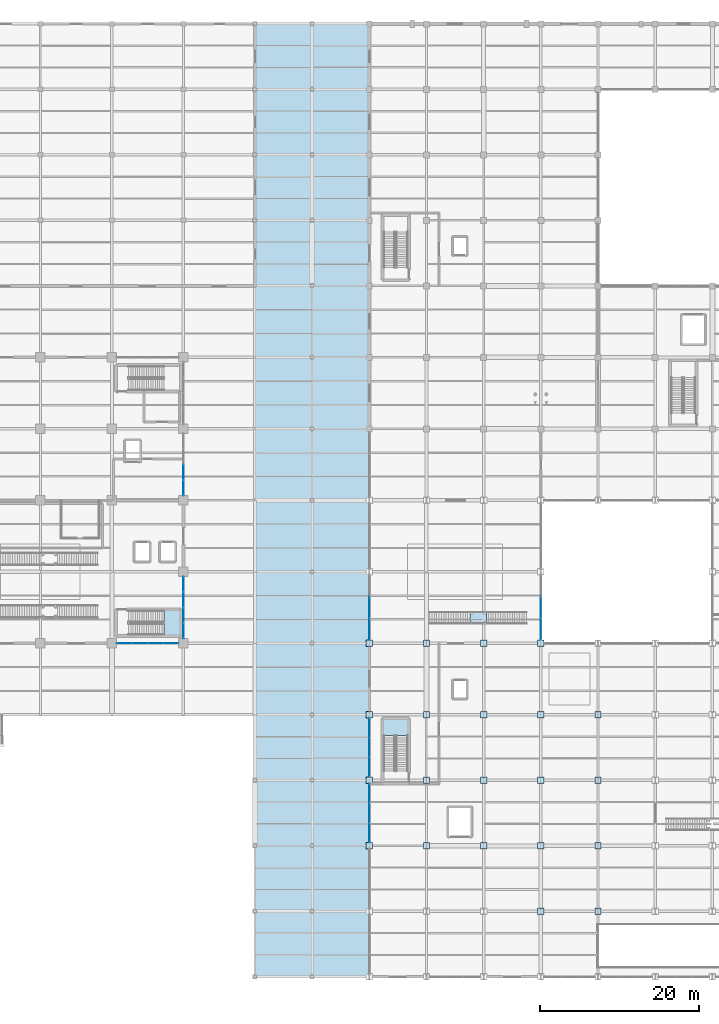
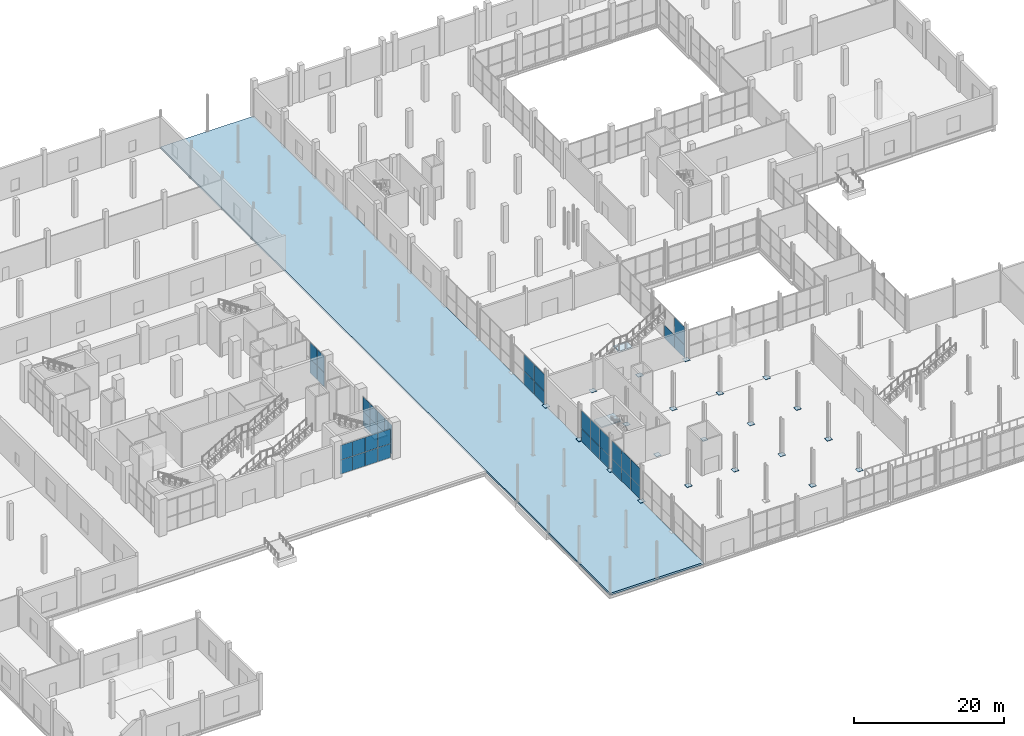
# One storey, part 116 of 144: 60 plates, 4 slabs, 10 elements without a shape of their own.
"""IFC4 building model written with IfcOpenShell, lengths in metres."""

from ifc_helpers import new_model, si_unit, direction, frame, origin, origin_2d, place, context, subcontext, project, spatial, polyline, rectangle, outline, extrude, material, layer, layer_set, type_object, element, aggregate, save


model = new_model("IFC4")

# Units and contexts
model_context = context("Model", 3, precision=1e-05, world=origin(), true_north=direction((0.0, 1.0)))
body_context = subcontext(model_context, "Body", "Model", "MODEL_VIEW")
ifc_project = project(units=[si_unit("LENGTHUNIT", "METRE"), si_unit("AREAUNIT", "SQUARE_METRE"), si_unit("VOLUMEUNIT", "CUBIC_METRE"), si_unit("PLANEANGLEUNIT", "RADIAN"), si_unit("MASSUNIT", "GRAM", prefix="KILO")], contexts=[model_context])

# Site, building, storey
site_placement = place(None, origin())
site = spatial("IfcSite", under=ifc_project, at=site_placement, CompositionType="ELEMENT")
building_placement = place(site_placement, origin())
building = spatial("IfcBuilding", under=site, at=building_placement, Name="Sundgate Opera House", CompositionType="ELEMENT")
storey_placement = place(building_placement, origin())
storey = spatial("IfcBuildingStorey", under=building, at=storey_placement, Name="L00", CompositionType="ELEMENT", Elevation=0.0)

# Curtain wall, plates
ifc_material_1 = material(Name="Anodized aluminium and low-iron glass", Category="aluminium")
ifc_layer_1 = layer(ifc_material_1, 0.179931640625)
ifc_layer_set_1 = layer_set([ifc_layer_1], Name="Anodized aluminium and low-iron glass")
curtain_wall_type_1 = type_object("IfcCurtainWallType", Name="CW-FOYER-GLASS", PredefinedType="NOTDEFINED", material=ifc_layer_set_1)
curtain_wall_1_placement = place(storey_placement, origin())
curtain_wall_1 = element("IfcCurtainWall", 1, at=curtain_wall_1_placement, inside=storey, type_object=curtain_wall_type_1, Name="L00 Curtain Wall CW002", PredefinedType="NOTDEFINED")
ifc_material_2 = material(Name="Low-iron triple acoustic glazing", Category="glass")
ifc_layer_2 = layer(ifc_material_2, 0.035888671875)
ifc_layer_set_2 = layer_set([ifc_layer_2], Name="Low-iron triple acoustic glazing")
plate_type_1 = type_object("IfcPlateType", Name="CWP-CLEAR-36", PredefinedType="CURTAIN_PANEL", material=ifc_layer_set_2)
plate_1_placement = place(storey_placement, frame((70.425048828125, 42.0, 0.02001953125), z_axis=(0.0, 0.0, 1.0), x_axis=(-1.0, 0.0, 0.0)))
plate_1 = element("IfcPlate", 2, at=plate_1_placement, type_object=plate_type_1, Name="CW002 Panel 1", PredefinedType="CURTAIN_PANEL", context=body_context, shape_type="SweptSolid", body=[
    extrude(rectangle(XDim=1.909912109375, YDim=0.035888671875, at=origin_2d()), origin(), (0.0, 0.0, 1.0), 2.260009765625),
])
plate_2_placement = place(storey_placement, frame((70.425048828125, 42.0, 2.320068359375), z_axis=(0.0, 0.0, 1.0), x_axis=(-1.0, 0.0, 0.0)))
plate_2 = element("IfcPlate", 3, at=plate_2_placement, type_object=plate_type_1, Name="CW002 Panel 2", PredefinedType="CURTAIN_PANEL", context=body_context, shape_type="SweptSolid", body=[
    extrude(rectangle(XDim=1.909912109375, YDim=0.035888671875, at=origin_2d()), origin(), (0.0, 0.0, 1.0), 2.375),
])
plate_3_placement = place(storey_placement, frame((68.47509765625, 42.0, 0.02001953125), z_axis=(0.0, 0.0, 1.0), x_axis=(-1.0, 0.0, 0.0)))
plate_3 = element("IfcPlate", 4, at=plate_3_placement, type_object=plate_type_1, Name="CW002 Panel 3", PredefinedType="CURTAIN_PANEL", context=body_context, shape_type="SweptSolid", body=[
    extrude(rectangle(XDim=1.909912109375, YDim=0.035888671875, at=origin_2d()), origin(), (0.0, 0.0, 1.0), 2.260009765625),
])
plate_4_placement = place(storey_placement, frame((68.47509765625, 42.0, 2.320068359375), z_axis=(0.0, 0.0, 1.0), x_axis=(-1.0, 0.0, 0.0)))
plate_4 = element("IfcPlate", 5, at=plate_4_placement, type_object=plate_type_1, Name="CW002 Panel 4", PredefinedType="CURTAIN_PANEL", context=body_context, shape_type="SweptSolid", body=[
    extrude(rectangle(XDim=1.909912109375, YDim=0.035888671875, at=origin_2d()), origin(), (0.0, 0.0, 1.0), 2.375),
])
plate_5_placement = place(storey_placement, frame((66.52490234375, 42.0, 0.02001953125), z_axis=(0.0, 0.0, 1.0), x_axis=(-1.0, 0.0, 0.0)))
plate_5 = element("IfcPlate", 6, at=plate_5_placement, type_object=plate_type_1, Name="CW002 Panel 5", PredefinedType="CURTAIN_PANEL", context=body_context, shape_type="SweptSolid", body=[
    extrude(rectangle(XDim=1.909912109375, YDim=0.035888671875, at=origin_2d()), origin(), (0.0, 0.0, 1.0), 2.260009765625),
])
plate_6_placement = place(storey_placement, frame((66.52490234375, 42.0, 2.320068359375), z_axis=(0.0, 0.0, 1.0), x_axis=(-1.0, 0.0, 0.0)))
plate_6 = element("IfcPlate", 7, at=plate_6_placement, type_object=plate_type_1, Name="CW002 Panel 6", PredefinedType="CURTAIN_PANEL", context=body_context, shape_type="SweptSolid", body=[
    extrude(rectangle(XDim=1.909912109375, YDim=0.035888671875, at=origin_2d()), origin(), (0.0, 0.0, 1.0), 2.375),
])
plate_7_placement = place(storey_placement, frame((64.574951171875, 42.0, 0.02001953125), z_axis=(0.0, 0.0, 1.0), x_axis=(-1.0, 0.0, 0.0)))
plate_7 = element("IfcPlate", 8, at=plate_7_placement, type_object=plate_type_1, Name="CW002 Panel 7", PredefinedType="CURTAIN_PANEL", context=body_context, shape_type="SweptSolid", body=[
    extrude(rectangle(XDim=1.909912109375, YDim=0.035888671875, at=origin_2d()), origin(), (0.0, 0.0, 1.0), 2.260009765625),
])
plate_8_placement = place(storey_placement, frame((64.574951171875, 42.0, 2.320068359375), z_axis=(0.0, 0.0, 1.0), x_axis=(-1.0, 0.0, 0.0)))
plate_8 = element("IfcPlate", 9, at=plate_8_placement, type_object=plate_type_1, Name="CW002 Panel 8", PredefinedType="CURTAIN_PANEL", context=body_context, shape_type="SweptSolid", body=[
    extrude(rectangle(XDim=1.909912109375, YDim=0.035888671875, at=origin_2d()), origin(), (0.0, 0.0, 1.0), 2.375),
])
aggregate(curtain_wall_1, [plate_1, plate_2, plate_3, plate_4, plate_5, plate_6, plate_7, plate_8])

curtain_wall_2_placement = place(storey_placement, origin())
curtain_wall_2 = element("IfcCurtainWall", 10, at=curtain_wall_2_placement, inside=storey, type_object=curtain_wall_type_1, Name="L00 Curtain Wall CW008", PredefinedType="NOTDEFINED")
plate_9_placement = place(storey_placement, frame((72.0, 43.574951171875, 0.02001953125), z_axis=(0.0, 0.0, 1.0), x_axis=(0.0, 1.0, 0.0)))
plate_9 = element("IfcPlate", 11, at=plate_9_placement, type_object=plate_type_1, Name="CW008 Panel 1", PredefinedType="CURTAIN_PANEL", context=body_context, shape_type="SweptSolid", body=[
    extrude(rectangle(XDim=1.909912109375, YDim=0.035888671875, at=origin_2d()), origin(), (0.0, 0.0, 1.0), 2.260009765625),
])
plate_10_placement = place(storey_placement, frame((72.0, 43.574951171875, 2.320068359375), z_axis=(0.0, 0.0, 1.0), x_axis=(0.0, 1.0, 0.0)))
plate_10 = element("IfcPlate", 12, at=plate_10_placement, type_object=plate_type_1, Name="CW008 Panel 2", PredefinedType="CURTAIN_PANEL", context=body_context, shape_type="SweptSolid", body=[
    extrude(rectangle(XDim=1.909912109375, YDim=0.035888671875, at=origin_2d()), origin(), (0.0, 0.0, 1.0), 2.375),
])
plate_11_placement = place(storey_placement, frame((72.0, 45.52490234375, 0.02001953125), z_axis=(0.0, 0.0, 1.0), x_axis=(0.0, 1.0, 0.0)))
plate_11 = element("IfcPlate", 13, at=plate_11_placement, type_object=plate_type_1, Name="CW008 Panel 3", PredefinedType="CURTAIN_PANEL", context=body_context, shape_type="SweptSolid", body=[
    extrude(rectangle(XDim=1.909912109375, YDim=0.035888671875, at=origin_2d()), origin(), (0.0, 0.0, 1.0), 2.260009765625),
])
plate_12_placement = place(storey_placement, frame((72.0, 45.52490234375, 2.320068359375), z_axis=(0.0, 0.0, 1.0), x_axis=(0.0, 1.0, 0.0)))
plate_12 = element("IfcPlate", 14, at=plate_12_placement, type_object=plate_type_1, Name="CW008 Panel 4", PredefinedType="CURTAIN_PANEL", context=body_context, shape_type="SweptSolid", body=[
    extrude(rectangle(XDim=1.909912109375, YDim=0.035888671875, at=origin_2d()), origin(), (0.0, 0.0, 1.0), 2.375),
])
plate_13_placement = place(storey_placement, frame((72.0, 47.47509765625, 0.02001953125), z_axis=(0.0, 0.0, 1.0), x_axis=(0.0, 1.0, 0.0)))
plate_13 = element("IfcPlate", 15, at=plate_13_placement, type_object=plate_type_1, Name="CW008 Panel 5", PredefinedType="CURTAIN_PANEL", context=body_context, shape_type="SweptSolid", body=[
    extrude(rectangle(XDim=1.909912109375, YDim=0.035888671875, at=origin_2d()), origin(), (0.0, 0.0, 1.0), 2.260009765625),
])
plate_14_placement = place(storey_placement, frame((72.0, 47.47509765625, 2.320068359375), z_axis=(0.0, 0.0, 1.0), x_axis=(0.0, 1.0, 0.0)))
plate_14 = element("IfcPlate", 16, at=plate_14_placement, type_object=plate_type_1, Name="CW008 Panel 6", PredefinedType="CURTAIN_PANEL", context=body_context, shape_type="SweptSolid", body=[
    extrude(rectangle(XDim=1.909912109375, YDim=0.035888671875, at=origin_2d()), origin(), (0.0, 0.0, 1.0), 2.375),
])
plate_15_placement = place(storey_placement, frame((72.0, 49.425048828125, 0.02001953125), z_axis=(0.0, 0.0, 1.0), x_axis=(0.0, 1.0, 0.0)))
plate_15 = element("IfcPlate", 17, at=plate_15_placement, type_object=plate_type_1, Name="CW008 Panel 7", PredefinedType="CURTAIN_PANEL", context=body_context, shape_type="SweptSolid", body=[
    extrude(rectangle(XDim=1.909912109375, YDim=0.035888671875, at=origin_2d()), origin(), (0.0, 0.0, 1.0), 2.260009765625),
])
plate_16_placement = place(storey_placement, frame((72.0, 49.425048828125, 2.320068359375), z_axis=(0.0, 0.0, 1.0), x_axis=(0.0, 1.0, 0.0)))
plate_16 = element("IfcPlate", 18, at=plate_16_placement, type_object=plate_type_1, Name="CW008 Panel 8", PredefinedType="CURTAIN_PANEL", context=body_context, shape_type="SweptSolid", body=[
    extrude(rectangle(XDim=1.909912109375, YDim=0.035888671875, at=origin_2d()), origin(), (0.0, 0.0, 1.0), 2.375),
])
aggregate(curtain_wall_2, [plate_9, plate_10, plate_11, plate_12, plate_13, plate_14, plate_15, plate_16])

curtain_wall_3_placement = place(storey_placement, origin())
curtain_wall_3 = element("IfcCurtainWall", 19, at=curtain_wall_3_placement, inside=storey, type_object=curtain_wall_type_1, Name="L00 Curtain Wall CW009", PredefinedType="NOTDEFINED")
plate_17_placement = place(storey_placement, frame((72.0, 61.574951171875, 0.02001953125), z_axis=(0.0, 0.0, 1.0), x_axis=(0.0, 1.0, 0.0)))
plate_17 = element("IfcPlate", 20, at=plate_17_placement, type_object=plate_type_1, Name="CW009 Panel 1", PredefinedType="CURTAIN_PANEL", context=body_context, shape_type="SweptSolid", body=[
    extrude(rectangle(XDim=1.909912109375, YDim=0.035888671875, at=origin_2d()), origin(), (0.0, 0.0, 1.0), 2.260009765625),
])
plate_18_placement = place(storey_placement, frame((72.0, 61.574951171875, 2.31982421875), z_axis=(0.0, 0.0, 1.0), x_axis=(0.0, 1.0, 0.0)))
plate_18 = element("IfcPlate", 21, at=plate_18_placement, type_object=plate_type_1, Name="CW009 Panel 2", PredefinedType="CURTAIN_PANEL", context=body_context, shape_type="SweptSolid", body=[
    extrude(rectangle(XDim=1.909912109375, YDim=0.035888671875, at=origin_2d()), origin(), (0.0, 0.0, 1.0), 2.675048828125),
])
plate_19_placement = place(storey_placement, frame((72.0, 63.52490234375, 0.02001953125), z_axis=(0.0, 0.0, 1.0), x_axis=(0.0, 1.0, 0.0)))
plate_19 = element("IfcPlate", 22, at=plate_19_placement, type_object=plate_type_1, Name="CW009 Panel 3", PredefinedType="CURTAIN_PANEL", context=body_context, shape_type="SweptSolid", body=[
    extrude(rectangle(XDim=1.909912109375, YDim=0.035888671875, at=origin_2d()), origin(), (0.0, 0.0, 1.0), 2.260009765625),
])
plate_20_placement = place(storey_placement, frame((72.0, 63.52490234375, 2.31982421875), z_axis=(0.0, 0.0, 1.0), x_axis=(0.0, 1.0, 0.0)))
plate_20 = element("IfcPlate", 23, at=plate_20_placement, type_object=plate_type_1, Name="CW009 Panel 4", PredefinedType="CURTAIN_PANEL", context=body_context, shape_type="SweptSolid", body=[
    extrude(rectangle(XDim=1.909912109375, YDim=0.035888671875, at=origin_2d()), origin(), (0.0, 0.0, 1.0), 2.675048828125),
])
aggregate(curtain_wall_3, [plate_17, plate_18, plate_19, plate_20])

ifc_material_3 = material(Name="Anodized aluminium and low-iron glass", Category="aluminium")
ifc_layer_3 = layer(ifc_material_3, 0.159912109375)
ifc_layer_set_3 = layer_set([ifc_layer_3], Name="Anodized aluminium and low-iron glass")
curtain_wall_type_2 = type_object("IfcCurtainWallType", Name="CW-STUDIO-DARK", PredefinedType="NOTDEFINED", material=ifc_layer_set_3)
curtain_wall_4_placement = place(storey_placement, origin())
curtain_wall_4 = element("IfcCurtainWall", 24, at=curtain_wall_4_placement, inside=storey, type_object=curtain_wall_type_2, Name="L00 Curtain Wall CW028", PredefinedType="NOTDEFINED")
ifc_material_4 = material(Name="Dark solar-control triple acoustic glazing", Category="glass")
ifc_layer_4 = layer(ifc_material_4, 0.031982421875)
ifc_layer_set_4 = layer_set([ifc_layer_4], Name="Dark solar-control triple acoustic glazing")
plate_type_2 = type_object("IfcPlateType", Name="CWP-DARK-32", PredefinedType="CURTAIN_PANEL", material=ifc_layer_set_4)
plate_21_placement = place(storey_placement, frame((95.39990234375, 46.5, 0.02001953125), z_axis=(0.0, 0.0, 1.0), x_axis=(0.0, -1.0, 0.0)))
plate_21 = element("IfcPlate", 25, at=plate_21_placement, type_object=plate_type_2, Name="CW028 Panel 3", PredefinedType="CURTAIN_PANEL", context=body_context, shape_type="SweptSolid", body=[
    extrude(rectangle(XDim=2.693359375, YDim=0.031982421875, at=origin_2d()), origin(), (0.0, 0.0, 1.0), 2.110107421875),
])
plate_22_placement = place(storey_placement, frame((95.39990234375, 46.5, 2.169921875), z_axis=(0.0, 0.0, 1.0), x_axis=(0.0, -1.0, 0.0)))
plate_22 = element("IfcPlate", 26, at=plate_22_placement, type_object=plate_type_2, Name="CW028 Panel 4", PredefinedType="CURTAIN_PANEL", context=body_context, shape_type="SweptSolid", body=[
    extrude(rectangle(XDim=2.693359375, YDim=0.031982421875, at=origin_2d()), origin(), (0.0, 0.0, 1.0), 2.72509765625),
])
plate_23_placement = place(storey_placement, frame((95.39990234375, 43.7666015625, 0.02001953125), z_axis=(0.0, 0.0, 1.0), x_axis=(0.0, -1.0, 0.0)))
plate_23 = element("IfcPlate", 27, at=plate_23_placement, type_object=plate_type_2, Name="CW028 Panel 5", PredefinedType="CURTAIN_PANEL", context=body_context, shape_type="SweptSolid", body=[
    extrude(rectangle(XDim=2.693359375, YDim=0.031982421875, at=origin_2d()), origin(), (0.0, 0.0, 1.0), 2.110107421875),
])
plate_24_placement = place(storey_placement, frame((95.39990234375, 43.7666015625, 2.169921875), z_axis=(0.0, 0.0, 1.0), x_axis=(0.0, -1.0, 0.0)))
plate_24 = element("IfcPlate", 28, at=plate_24_placement, type_object=plate_type_2, Name="CW028 Panel 6", PredefinedType="CURTAIN_PANEL", context=body_context, shape_type="SweptSolid", body=[
    extrude(rectangle(XDim=2.693359375, YDim=0.031982421875, at=origin_2d()), origin(), (0.0, 0.0, 1.0), 2.72509765625),
])
aggregate(curtain_wall_4, [plate_21, plate_22, plate_23, plate_24])

curtain_wall_5_placement = place(storey_placement, origin())
curtain_wall_5 = element("IfcCurtainWall", 29, at=curtain_wall_5_placement, inside=storey, type_object=curtain_wall_type_2, Name="L00 Curtain Wall CW040", PredefinedType="NOTDEFINED")
plate_25_placement = place(storey_placement, frame((117.0, 43.7666015625, 0.02001953125), z_axis=(0.0, 0.0, 1.0), x_axis=(0.0, 1.0, 0.0)))
plate_25 = element("IfcPlate", 30, at=plate_25_placement, type_object=plate_type_2, Name="CW040 Panel 1", PredefinedType="CURTAIN_PANEL", context=body_context, shape_type="SweptSolid", body=[
    extrude(rectangle(XDim=2.693359375, YDim=0.031982421875, at=origin_2d()), origin(), (0.0, 0.0, 1.0), 2.110107421875),
])
plate_26_placement = place(storey_placement, frame((117.0, 43.7666015625, 2.169921875), z_axis=(0.0, 0.0, 1.0), x_axis=(0.0, 1.0, 0.0)))
plate_26 = element("IfcPlate", 31, at=plate_26_placement, type_object=plate_type_2, Name="CW040 Panel 2", PredefinedType="CURTAIN_PANEL", context=body_context, shape_type="SweptSolid", body=[
    extrude(rectangle(XDim=2.693359375, YDim=0.031982421875, at=origin_2d()), origin(), (0.0, 0.0, 1.0), 2.875),
])
plate_27_placement = place(storey_placement, frame((117.0, 46.5, 0.02001953125), z_axis=(0.0, 0.0, 1.0), x_axis=(0.0, 1.0, 0.0)))
plate_27 = element("IfcPlate", 32, at=plate_27_placement, type_object=plate_type_2, Name="CW040 Panel 3", PredefinedType="CURTAIN_PANEL", context=body_context, shape_type="SweptSolid", body=[
    extrude(rectangle(XDim=2.693359375, YDim=0.031982421875, at=origin_2d()), origin(), (0.0, 0.0, 1.0), 2.110107421875),
])
aggregate(curtain_wall_5, [plate_25, plate_26, plate_27])

ifc_material_5 = material(Name="Anodized aluminium and low-iron glass", Category="aluminium")
ifc_layer_5 = layer(ifc_material_5, 0.14990234375)
ifc_layer_set_5 = layer_set([ifc_layer_5], Name="Anodized aluminium and low-iron glass")
curtain_wall_type_3 = type_object("IfcCurtainWallType", Name="CW-WORKSHOP-DARK", PredefinedType="NOTDEFINED", material=ifc_layer_set_5)
curtain_wall_6_placement = place(storey_placement, origin())
curtain_wall_6 = element("IfcCurtainWall", 33, at=curtain_wall_6_placement, inside=storey, type_object=curtain_wall_type_3, Name="L00 Curtain Wall CW133", PredefinedType="NOTDEFINED")
plate_28_placement = place(storey_placement, frame((95.39990234375, 23.1083984375, 0.02001953125), z_axis=(0.0, 0.0, 1.0), x_axis=(0.0, -1.0, 0.0)))
plate_28 = element("IfcPlate", 34, at=plate_28_placement, type_object=plate_type_2, Name="CW133 Panel 1", PredefinedType="CURTAIN_PANEL", context=body_context, shape_type="SweptSolid", body=[
    extrude(rectangle(XDim=2.443359375, YDim=0.031982421875, at=origin_2d()), origin(), (0.0, 0.0, 1.0), 2.06005859375),
])
plate_29_placement = place(storey_placement, frame((95.39990234375, 23.1083984375, 2.1201171875), z_axis=(0.0, 0.0, 1.0), x_axis=(0.0, -1.0, 0.0)))
plate_29 = element("IfcPlate", 35, at=plate_29_placement, type_object=plate_type_2, Name="CW133 Panel 2", PredefinedType="CURTAIN_PANEL", context=body_context, shape_type="SweptSolid", body=[
    extrude(rectangle(XDim=2.443359375, YDim=0.031982421875, at=origin_2d()), origin(), (0.0, 0.0, 1.0), 2.925048828125),
])
plate_30_placement = place(storey_placement, frame((95.39990234375, 20.625, 0.02001953125), z_axis=(0.0, 0.0, 1.0), x_axis=(0.0, -1.0, 0.0)))
plate_30 = element("IfcPlate", 36, at=plate_30_placement, type_object=plate_type_2, Name="CW133 Panel 3", PredefinedType="CURTAIN_PANEL", context=body_context, shape_type="SweptSolid", body=[
    extrude(rectangle(XDim=2.443359375, YDim=0.031982421875, at=origin_2d()), origin(), (0.0, 0.0, 1.0), 2.06005859375),
])
plate_31_placement = place(storey_placement, frame((95.39990234375, 20.625, 2.1201171875), z_axis=(0.0, 0.0, 1.0), x_axis=(0.0, -1.0, 0.0)))
plate_31 = element("IfcPlate", 37, at=plate_31_placement, type_object=plate_type_2, Name="CW133 Panel 4", PredefinedType="CURTAIN_PANEL", context=body_context, shape_type="SweptSolid", body=[
    extrude(rectangle(XDim=2.443359375, YDim=0.031982421875, at=origin_2d()), origin(), (0.0, 0.0, 1.0), 2.925048828125),
])
plate_32_placement = place(storey_placement, frame((95.39990234375, 18.1416015625, 0.02001953125), z_axis=(0.0, 0.0, 1.0), x_axis=(0.0, -1.0, 0.0)))
plate_32 = element("IfcPlate", 38, at=plate_32_placement, type_object=plate_type_2, Name="CW133 Panel 5", PredefinedType="CURTAIN_PANEL", context=body_context, shape_type="SweptSolid", body=[
    extrude(rectangle(XDim=2.443359375, YDim=0.031982421875, at=origin_2d()), origin(), (0.0, 0.0, 1.0), 2.06005859375),
])
plate_33_placement = place(storey_placement, frame((95.39990234375, 18.1416015625, 2.1201171875), z_axis=(0.0, 0.0, 1.0), x_axis=(0.0, -1.0, 0.0)))
plate_33 = element("IfcPlate", 39, at=plate_33_placement, type_object=plate_type_2, Name="CW133 Panel 6", PredefinedType="CURTAIN_PANEL", context=body_context, shape_type="SweptSolid", body=[
    extrude(rectangle(XDim=2.443359375, YDim=0.031982421875, at=origin_2d()), origin(), (0.0, 0.0, 1.0), 2.925048828125),
])
aggregate(curtain_wall_6, [plate_28, plate_29, plate_30, plate_31, plate_32, plate_33])

curtain_wall_7_placement = place(storey_placement, origin())
curtain_wall_7 = element("IfcCurtainWall", 40, at=curtain_wall_7_placement, inside=storey, type_object=curtain_wall_type_3, Name="L00 Curtain Wall CW134", PredefinedType="NOTDEFINED")
plate_34_placement = place(storey_placement, frame((95.39990234375, 31.3583984375, 0.02001953125), z_axis=(0.0, 0.0, 1.0), x_axis=(0.0, -1.0, 0.0)))
plate_34 = element("IfcPlate", 41, at=plate_34_placement, type_object=plate_type_2, Name="CW134 Panel 1", PredefinedType="CURTAIN_PANEL", context=body_context, shape_type="SweptSolid", body=[
    extrude(rectangle(XDim=2.443359375, YDim=0.031982421875, at=origin_2d()), origin(), (0.0, 0.0, 1.0), 2.06005859375),
])
plate_35_placement = place(storey_placement, frame((95.39990234375, 31.3583984375, 2.1201171875), z_axis=(0.0, 0.0, 1.0), x_axis=(0.0, -1.0, 0.0)))
plate_35 = element("IfcPlate", 42, at=plate_35_placement, type_object=plate_type_2, Name="CW134 Panel 2", PredefinedType="CURTAIN_PANEL", context=body_context, shape_type="SweptSolid", body=[
    extrude(rectangle(XDim=2.443359375, YDim=0.031982421875, at=origin_2d()), origin(), (0.0, 0.0, 1.0), 2.925048828125),
])
plate_36_placement = place(storey_placement, frame((95.39990234375, 28.875, 0.02001953125), z_axis=(0.0, 0.0, 1.0), x_axis=(0.0, -1.0, 0.0)))
plate_36 = element("IfcPlate", 43, at=plate_36_placement, type_object=plate_type_2, Name="CW134 Panel 3", PredefinedType="CURTAIN_PANEL", context=body_context, shape_type="SweptSolid", body=[
    extrude(rectangle(XDim=2.443359375, YDim=0.031982421875, at=origin_2d()), origin(), (0.0, 0.0, 1.0), 2.06005859375),
])
plate_37_placement = place(storey_placement, frame((95.39990234375, 28.875, 2.1201171875), z_axis=(0.0, 0.0, 1.0), x_axis=(0.0, -1.0, 0.0)))
plate_37 = element("IfcPlate", 44, at=plate_37_placement, type_object=plate_type_2, Name="CW134 Panel 4", PredefinedType="CURTAIN_PANEL", context=body_context, shape_type="SweptSolid", body=[
    extrude(rectangle(XDim=2.443359375, YDim=0.031982421875, at=origin_2d()), origin(), (0.0, 0.0, 1.0), 2.925048828125),
])
plate_38_placement = place(storey_placement, frame((95.39990234375, 26.3916015625, 0.02001953125), z_axis=(0.0, 0.0, 1.0), x_axis=(0.0, -1.0, 0.0)))
plate_38 = element("IfcPlate", 45, at=plate_38_placement, type_object=plate_type_2, Name="CW134 Panel 5", PredefinedType="CURTAIN_PANEL", context=body_context, shape_type="SweptSolid", body=[
    extrude(rectangle(XDim=2.443359375, YDim=0.031982421875, at=origin_2d()), origin(), (0.0, 0.0, 1.0), 2.06005859375),
])
plate_39_placement = place(storey_placement, frame((95.39990234375, 26.3916015625, 2.1201171875), z_axis=(0.0, 0.0, 1.0), x_axis=(0.0, -1.0, 0.0)))
plate_39 = element("IfcPlate", 46, at=plate_39_placement, type_object=plate_type_2, Name="CW134 Panel 6", PredefinedType="CURTAIN_PANEL", context=body_context, shape_type="SweptSolid", body=[
    extrude(rectangle(XDim=2.443359375, YDim=0.031982421875, at=origin_2d()), origin(), (0.0, 0.0, 1.0), 2.925048828125),
])
aggregate(curtain_wall_7, [plate_34, plate_35, plate_36, plate_37, plate_38, plate_39])

# Plates
ifc_material_6 = material(Name="Steel S355J2", Category="steel")
ifc_layer_6 = layer(ifc_material_6, 0.02587890625)
ifc_layer_set_6 = layer_set([ifc_layer_6], Name="Steel S355J2")
plate_type_3 = type_object("IfcPlateType", Name="PT-BAS-26", PredefinedType="USERDEFINED", material=ifc_layer_set_6)
for number, where, z_axis, x_axis, name in (
    (47, (102.60009765625, 33.0, 0.0), (0.0, 0.0, 1.0), (1.0, 0.0, 0.0), "L00 Base Plate PT0243"),
    (48, (117.0, 8.25, 0.0), (0.0, 0.0, 1.0), (1.0, 0.0, 0.0), "L00 Base Plate PT0272"),
):
    element("IfcPlate", number, at=place(storey_placement, frame(where, z_axis=z_axis, x_axis=x_axis)), inside=storey, type_object=plate_type_3, Name=name, ObjectType="BASE PLATE", PredefinedType="USERDEFINED", context=body_context, shape_type="SweptSolid", body=[
        extrude(rectangle(XDim=0.7900390625, YDim=0.7900390625, at=origin_2d()), origin(), (0.0, 0.0, 1.0), 0.02587890625),
    ])
ifc_material_7 = material(Name="Steel S355J2", Category="steel")
ifc_layer_7 = layer(ifc_material_7, 0.030029296875)
ifc_layer_set_7 = layer_set([ifc_layer_7], Name="Steel S355J2")
plate_type_4 = type_object("IfcPlateType", Name="PT-BAS-30", PredefinedType="USERDEFINED", material=ifc_layer_set_7)
for number, where, z_axis, x_axis, name in (
    (49, (102.60009765625, 42.0, 0.0), (0.0, 0.0, 1.0), (1.0, 0.0, 0.0), "L00 Base Plate PT0246"),
    (50, (109.800048828125, 24.75, 0.0), (0.0, 0.0, 1.0), (1.0, 0.0, 0.0), "L00 Base Plate PT0259"),
):
    element("IfcPlate", number, at=place(storey_placement, frame(where, z_axis=z_axis, x_axis=x_axis)), inside=storey, type_object=plate_type_4, Name=name, ObjectType="BASE PLATE", PredefinedType="USERDEFINED", context=body_context, shape_type="SweptSolid", body=[
        extrude(rectangle(XDim=0.7900390625, YDim=0.7900390625, at=origin_2d()), origin(), (0.0, 0.0, 1.0), 0.030029296875),
    ])
ifc_material_8 = material(Name="Steel S355J2", Category="steel")
ifc_layer_8 = layer(ifc_material_8, 0.033935546875)
ifc_layer_set_8 = layer_set([ifc_layer_8], Name="Steel S355J2")
plate_type_5 = type_object("IfcPlateType", Name="PT-BAS-34", PredefinedType="USERDEFINED", material=ifc_layer_set_8)
plate_40_placement = place(storey_placement, frame((117.0, 16.5, 0.0), z_axis=(0.0, 0.0, 1.0), x_axis=(1.0, 0.0, 0.0)))
element("IfcPlate", 51, at=plate_40_placement, inside=storey, type_object=plate_type_5, Name="L00 Base Plate PT0275", ObjectType="BASE PLATE", PredefinedType="USERDEFINED", context=body_context, shape_type="SweptSolid", body=[
    extrude(rectangle(XDim=0.7900390625, YDim=0.7900390625, at=origin_2d()), origin(), (0.0, 0.0, 1.0), 0.033935546875),
])
ifc_material_9 = material(Name="Steel S355J2", Category="steel")
ifc_layer_9 = layer(ifc_material_9, 0.035888671875)
ifc_layer_set_9 = layer_set([ifc_layer_9], Name="Steel S355J2")
plate_type_6 = type_object("IfcPlateType", Name="PT-BAS-36", PredefinedType="USERDEFINED", material=ifc_layer_set_9)
for number, where, z_axis, x_axis, name in (
    (52, (109.800048828125, 33.0, 0.0), (0.0, 0.0, 1.0), (1.0, 0.0, 0.0), "L00 Base Plate PT0262"),
    (53, (124.199951171875, 8.25, 0.0), (0.0, 0.0, 1.0), (1.0, 0.0, 0.0), "L00 Base Plate PT0294"),
):
    element("IfcPlate", number, at=place(storey_placement, frame(where, z_axis=z_axis, x_axis=x_axis)), inside=storey, type_object=plate_type_6, Name=name, ObjectType="BASE PLATE", PredefinedType="USERDEFINED", context=body_context, shape_type="SweptSolid", body=[
        extrude(rectangle(XDim=0.7900390625, YDim=0.7900390625, at=origin_2d()), origin(), (0.0, 0.0, 1.0), 0.035888671875),
    ])
ifc_material_10 = material(Name="Steel S355J2", Category="steel")
ifc_layer_10 = layer(ifc_material_10, 0.0400390625)
ifc_layer_set_10 = layer_set([ifc_layer_10], Name="Steel S355J2")
plate_type_7 = type_object("IfcPlateType", Name="PT-BAS-40", PredefinedType="USERDEFINED", material=ifc_layer_set_10)
for number, where, z_axis, x_axis, name in (
    (54, (95.39990234375, 16.5, 0.0), (0.0, 0.0, 1.0), (1.0, 0.0, 0.0), "L00 Base Plate PT0215"),
    (55, (109.800048828125, 42.0, 0.0), (0.0, 0.0, 1.0), (1.0, 0.0, 0.0), "L00 Base Plate PT0265"),
    (56, (117.0, 24.75, 0.0), (0.0, 0.0, 1.0), (1.0, 0.0, 0.0), "L00 Base Plate PT0278"),
):
    element("IfcPlate", number, at=place(storey_placement, frame(where, z_axis=z_axis, x_axis=x_axis)), inside=storey, type_object=plate_type_7, Name=name, ObjectType="BASE PLATE", PredefinedType="USERDEFINED", context=body_context, shape_type="SweptSolid", body=[
        extrude(rectangle(XDim=0.7900390625, YDim=0.7900390625, at=origin_2d()), origin(), (0.0, 0.0, 1.0), 0.0400390625),
    ])
ifc_material_11 = material(Name="Steel S355J2", Category="steel")
ifc_layer_11 = layer(ifc_material_11, 0.044921875)
ifc_layer_set_11 = layer_set([ifc_layer_11], Name="Steel S355J2")
plate_type_8 = type_object("IfcPlateType", Name="PT-BAS-45", PredefinedType="USERDEFINED", material=ifc_layer_set_11)
for number, where, z_axis, x_axis, name in (
    (57, (95.39990234375, 24.75, 0.0), (0.0, 0.0, 1.0), (1.0, 0.0, 0.0), "L00 Base Plate PT0218"),
    (58, (117.0, 33.0, 0.0), (0.0, 0.0, 1.0), (1.0, 0.0, 0.0), "L00 Base Plate PT0281"),
    (59, (124.199951171875, 16.5, 0.0), (0.0, 0.0, 1.0), (1.0, 0.0, 0.0), "L00 Base Plate PT0297"),
):
    element("IfcPlate", number, at=place(storey_placement, frame(where, z_axis=z_axis, x_axis=x_axis)), inside=storey, type_object=plate_type_8, Name=name, ObjectType="BASE PLATE", PredefinedType="USERDEFINED", context=body_context, shape_type="SweptSolid", body=[
        extrude(rectangle(XDim=0.7900390625, YDim=0.7900390625, at=origin_2d()), origin(), (0.0, 0.0, 1.0), 0.044921875),
    ])
ifc_material_12 = material(Name="Steel S355J2", Category="steel")
ifc_layer_12 = layer(ifc_material_12, 0.050048828125)
ifc_layer_set_12 = layer_set([ifc_layer_12], Name="Steel S355J2")
plate_type_9 = type_object("IfcPlateType", Name="PT-BAS-50", PredefinedType="USERDEFINED", material=ifc_layer_set_12)
for number, where, z_axis, x_axis, name in (
    (60, (102.60009765625, 16.5, 0.0), (0.0, 0.0, 1.0), (1.0, 0.0, 0.0), "L00 Base Plate PT0237"),
    (61, (117.0, 42.0, 0.0), (0.0, 0.0, 1.0), (1.0, 0.0, 0.0), "L00 Base Plate PT0284"),
):
    element("IfcPlate", number, at=place(storey_placement, frame(where, z_axis=z_axis, x_axis=x_axis)), inside=storey, type_object=plate_type_9, Name=name, ObjectType="BASE PLATE", PredefinedType="USERDEFINED", context=body_context, shape_type="SweptSolid", body=[
        extrude(rectangle(XDim=0.7900390625, YDim=0.7900390625, at=origin_2d()), origin(), (0.0, 0.0, 1.0), 0.050048828125),
    ])
ifc_material_13 = material(Name="Steel S355J2", Category="steel")
ifc_layer_13 = layer(ifc_material_13, 0.055908203125)
ifc_layer_set_13 = layer_set([ifc_layer_13], Name="Steel S355J2")
plate_type_10 = type_object("IfcPlateType", Name="PT-BAS-56", PredefinedType="USERDEFINED", material=ifc_layer_set_13)
plate_41_placement = place(storey_placement, frame((109.800048828125, 16.5, 0.0), z_axis=(0.0, 0.0, 1.0), x_axis=(1.0, 0.0, 0.0)))
element("IfcPlate", 62, at=plate_41_placement, inside=storey, type_object=plate_type_10, Name="L00 Base Plate PT0256", ObjectType="BASE PLATE", PredefinedType="USERDEFINED", context=body_context, shape_type="SweptSolid", body=[
    extrude(rectangle(XDim=0.7900390625, YDim=0.7900390625, at=origin_2d()), origin(), (0.0, 0.0, 1.0), 0.055908203125),
])
ifc_material_14 = material(Name="Steel S355J2", Category="steel")
ifc_layer_14 = layer(ifc_material_14, 0.06201171875)
ifc_layer_set_14 = layer_set([ifc_layer_14], Name="Steel S355J2")
plate_type_11 = type_object("IfcPlateType", Name="PT-BAS-62", PredefinedType="USERDEFINED", material=ifc_layer_set_14)
for number, where, z_axis, x_axis, name in (
    (63, (95.39990234375, 42.0, 0.0), (0.0, 0.0, 1.0), (1.0, 0.0, 0.0), "L00 Base Plate PT0224"),
    (64, (102.60009765625, 24.75, 0.0), (0.0, 0.0, 1.0), (1.0, 0.0, 0.0), "L00 Base Plate PT0240"),
    (65, (124.199951171875, 33.0, 0.0), (0.0, 0.0, 1.0), (1.0, 0.0, 0.0), "L00 Base Plate PT0303"),
):
    element("IfcPlate", number, at=place(storey_placement, frame(where, z_axis=z_axis, x_axis=x_axis)), inside=storey, type_object=plate_type_11, Name=name, ObjectType="BASE PLATE", PredefinedType="USERDEFINED", context=body_context, shape_type="SweptSolid", body=[
        extrude(rectangle(XDim=0.7900390625, YDim=0.7900390625, at=origin_2d()), origin(), (0.0, 0.0, 1.0), 0.06201171875),
    ])
ifc_material_15 = material(Name="Steel S355J2", Category="steel")
ifc_layer_15 = layer(ifc_material_15, 0.068115234375)
ifc_layer_set_15 = layer_set([ifc_layer_15], Name="Steel S355J2")
plate_type_12 = type_object("IfcPlateType", Name="PT-BAS-68", PredefinedType="USERDEFINED", material=ifc_layer_set_15)
for number, where, z_axis, x_axis, name in (
    (66, (95.39990234375, 33.0, 0.0), (0.0, 0.0, 1.0), (1.0, 0.0, 0.0), "L00 Base Plate PT0221"),
    (67, (124.199951171875, 24.75, 0.0), (0.0, 0.0, 1.0), (1.0, 0.0, 0.0), "L00 Base Plate PT0300"),
):
    element("IfcPlate", number, at=place(storey_placement, frame(where, z_axis=z_axis, x_axis=x_axis)), inside=storey, type_object=plate_type_12, Name=name, ObjectType="BASE PLATE", PredefinedType="USERDEFINED", context=body_context, shape_type="SweptSolid", body=[
        extrude(rectangle(XDim=0.7900390625, YDim=0.7900390625, at=origin_2d()), origin(), (0.0, 0.0, 1.0), 0.068115234375),
    ])

# Slab
ifc_material_16 = material(Name="Concrete C40/50", Category="concrete")
ifc_layer_16 = layer(ifc_material_16, 0.320068359375)
ifc_layer_set_16 = layer_set([ifc_layer_16], Name="Concrete C40/50")
slab_type_1 = type_object("IfcSlabType", Name="SL-FLR-320", PredefinedType="FLOOR", material=ifc_layer_set_16)
slab_1_placement = place(storey_placement, frame((0.0, 0.0, -0.320068359375)))
element("IfcSlab", 68, at=slab_1_placement, inside=storey, type_object=slab_type_1, Name="L00 Structural Floor Slab V7", PredefinedType="FLOOR", context=body_context, shape_type="SweptSolid", body=[
    extrude(outline(polyline([(81.0, 0.0), (95.39990234375, 0.0), (95.39990234375, 120.0), (81.0, 120.0), (81.0, 0.0)])), origin(), (0.0, 0.0, 1.0), 0.320068359375),
])

# Stair, slab
ifc_material_17 = material(Name="Concrete C35/45", Category="concrete")
stair_type_1 = type_object("IfcStairType", Name="ST-HT-34R-1450", PredefinedType="HALF_TURN_STAIR", material=ifc_material_17)
stair_1_placement = place(storey_placement, origin())
stair_1 = element("IfcStair", 69, at=stair_1_placement, inside=storey, type_object=stair_type_1, Name="L00 Escape Stair ST-03", PredefinedType="HALF_TURN_STAIR")
ifc_material_18 = material(Name="Concrete C35/45", Category="concrete")
ifc_layer_17 = layer(ifc_material_18, 0.199951171875)
ifc_layer_set_17 = layer_set([ifc_layer_17], Name="Concrete C35/45")
slab_type_2 = type_object("IfcSlabType", Name="SL-LAND-200", PredefinedType="LANDING", material=ifc_layer_set_17)
slab_2_placement = place(storey_placement, frame((0.0, 0.0, 2.800048828125)))
slab_2 = element("IfcSlab", 70, at=slab_2_placement, type_object=slab_type_2, Name="ST03L00 Landing 1", PredefinedType="LANDING", context=body_context, shape_type="SweptSolid", body=[
    extrude(outline(polyline([(69.580078125, 43.050048828125), (71.550048828125, 43.050048828125), (71.550048828125, 46.10009765625), (69.580078125, 46.10009765625), (69.580078125, 43.050048828125)])), origin(), (0.0, 0.0, 1.0), 0.199951171875),
])
aggregate(stair_1, [slab_2])

stair_2_placement = place(storey_placement, origin())
stair_2 = element("IfcStair", 71, at=stair_2_placement, inside=storey, type_object=stair_type_1, Name="L00 Escape Stair ST-07", PredefinedType="HALF_TURN_STAIR")
slab_3_placement = place(storey_placement, frame((0.0, 0.0, 2.800048828125)))
slab_3 = element("IfcSlab", 72, at=slab_3_placement, type_object=slab_type_2, Name="ST07L00 Landing 1", PredefinedType="LANDING", context=body_context, shape_type="SweptSolid", body=[
    extrude(outline(polyline([(100.25, 30.3798828125), (100.25, 32.39990234375), (97.199951171875, 32.39990234375), (97.199951171875, 30.3798828125), (100.25, 30.3798828125)])), origin(), (0.0, 0.0, 1.0), 0.199951171875),
])
aggregate(stair_2, [slab_3])

ifc_material_19 = material(Name="Concrete C35/45", Category="concrete")
stair_type_2 = type_object("IfcStairType", Name="ST-SR-36R-1500", PredefinedType="STRAIGHT_RUN_STAIR", material=ifc_material_19)
stair_3_placement = place(storey_placement, origin())
stair_3 = element("IfcStair", 73, at=stair_3_placement, inside=storey, type_object=stair_type_2, Name="Chamber Studio Gallery Straight Stair", PredefinedType="STRAIGHT_RUN_STAIR")
ifc_material_20 = material(Name="Concrete C35/45", Category="concrete")
ifc_layer_18 = layer(ifc_material_20, 0.219970703125)
ifc_layer_set_18 = layer_set([ifc_layer_18], Name="Concrete C35/45")
slab_type_3 = type_object("IfcSlabType", Name="SL-LAND-220", PredefinedType="LANDING", material=ifc_layer_set_18)
slab_4_placement = place(storey_placement, frame((0.0, 0.0, 2.780029296875)))
slab_4 = element("IfcSlab", 74, at=slab_4_placement, type_object=slab_type_3, Name="Chamber Studio Gallery Straight Stair Mid Landing", PredefinedType="LANDING", context=body_context, shape_type="SweptSolid", body=[
    extrude(outline(polyline([(108.070068359375, 44.449951171875), (110.159912109375, 44.449951171875), (110.159912109375, 45.949951171875), (108.070068359375, 45.949951171875), (108.070068359375, 44.449951171875)])), origin(), (0.0, 0.0, 1.0), 0.219970703125),
])
aggregate(stair_3, [slab_4])

save(model, "model.ifc")
